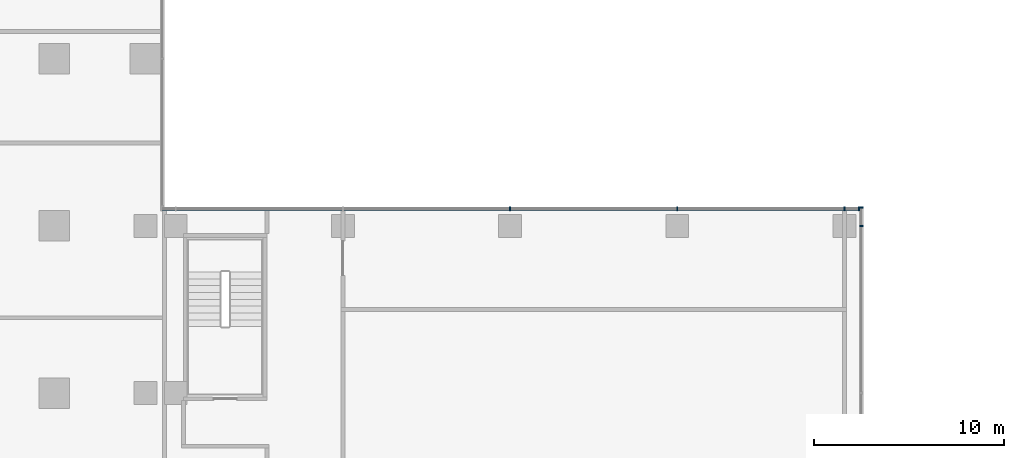
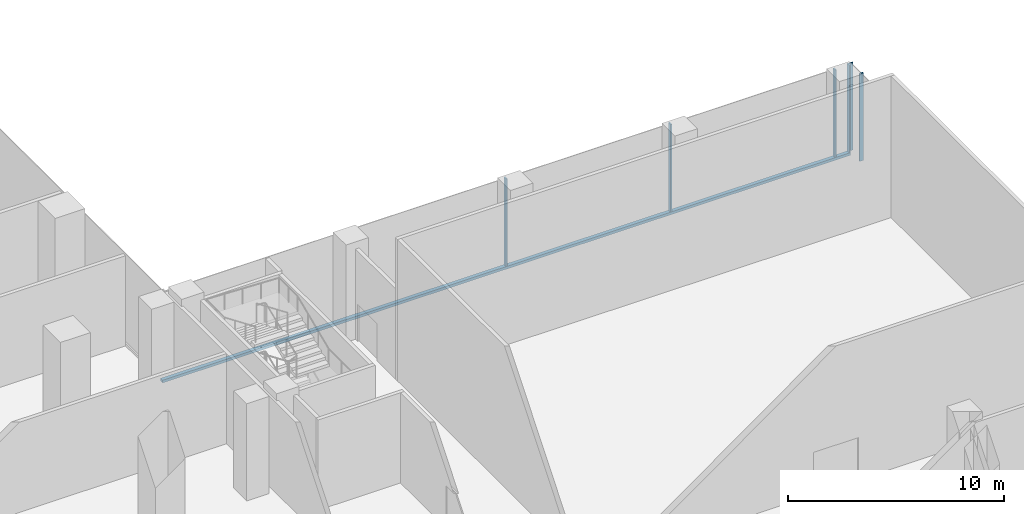
# One storey, part 9 of 30: 7 members, 2 elements without a shape of their own.
"""IFC4 building model written with IfcOpenShell, lengths in metres."""

from ifc_helpers import new_model, si_unit, direction, frame, origin, origin_2d, place, context, subcontext, project, spatial, rectangle, extrude, source, transform, mapped, material, material_profile, profile_set, type_object, element, aggregate, save


model = new_model("IFC4")

# Units and contexts
model_context = context("Model", 3, precision=1e-05, world=origin(), true_north=direction((0.0, 1.0)))
body_context = subcontext(model_context, "Body", "Model", "MODEL_VIEW")
ifc_project = project(units=[si_unit("LENGTHUNIT", "METRE"), si_unit("AREAUNIT", "SQUARE_METRE"), si_unit("VOLUMEUNIT", "CUBIC_METRE"), si_unit("PLANEANGLEUNIT", "RADIAN"), si_unit("MASSUNIT", "GRAM", prefix="KILO")], contexts=[model_context])

# Site, building, storey
site_placement = place(None, origin())
site = spatial("IfcSite", under=ifc_project, at=site_placement, CompositionType="ELEMENT")
building_placement = place(site_placement, origin())
building = spatial("IfcBuilding", under=site, at=building_placement, Name="Kemantara Hotel Tower", CompositionType="ELEMENT")
storey_placement = place(building_placement, frame((0.0, 0.0, 18.0)))
storey = spatial("IfcBuildingStorey", under=building, at=storey_placement, Name="L03", CompositionType="ELEMENT", Elevation=18.0)

# Curtain wall, member
ifc_material_1 = material(Name="Laminated tinted insulated glass 44 mm", Category="glass")
curtain_wall_type = type_object("IfcCurtainWallType", Name="PODIUM GLASS CURTAIN WALL", PredefinedType="USERDEFINED", material=ifc_material_1)
curtain_wall_1_placement = place(storey_placement, origin())
curtain_wall_1 = element("IfcCurtainWall", 1, at=curtain_wall_1_placement, inside=storey, type_object=curtain_wall_type, Name="CW1 L03 POD-R09-1", ObjectType="PODIUM GLASS CURTAIN WALL", PredefinedType="USERDEFINED")
ifc_material_2 = material(Name="Aluminium 6063-T6 bronze anodised", Category="aluminium")
ifc_material_profile_1 = material_profile(ifc_material_2, rectangle(XDim=0.199951171875, YDim=0.14990234375, at=origin_2d()), Name="PODIUM GLASS CURTAIN WALL TRANSOM")
ifc_profile_set_1 = profile_set([ifc_material_profile_1], Name="Aluminium 6063-T6 bronze anodised")
member_type_1 = type_object("IfcMemberType", Name="PODIUM GLASS CURTAIN WALL TRANSOM", PredefinedType="USERDEFINED", material=ifc_profile_set_1)
member_1_placement = place(storey_placement, frame((63.39990234375, 54.699951171875, 0.074951171875), z_axis=(-1.0, 0.0, 0.0), x_axis=(0.0, -1.0, 0.0)))
member_1 = element("IfcMember", 2, at=member_1_placement, type_object=member_type_1, Name="CW1 sill transom POD-R09-1", ObjectType="TRANSOM", PredefinedType="USERDEFINED", context=body_context, shape_type="SweptSolid", body=[
    extrude(rectangle(XDim=0.199951171875, YDim=0.14990234375, at=origin_2d()), origin(), (0.0, 0.0, 1.0), 36.7998046875),
])

# Curtain wall, members
curtain_wall_2_placement = place(storey_placement, origin())
curtain_wall_2 = element("IfcCurtainWall", 3, at=curtain_wall_2_placement, inside=storey, type_object=curtain_wall_type, Name="CW1 L03 POD-R08-1", ObjectType="PODIUM GLASS CURTAIN WALL", PredefinedType="USERDEFINED")
ifc_material_profile_2 = material_profile(ifc_material_2, rectangle(XDim=0.199951171875, YDim=0.074951171875, at=origin_2d()), Name="PODIUM GLASS CURTAIN WALL MULLION")
ifc_profile_set_2 = profile_set([ifc_material_profile_2], Name="Aluminium 6063-T6 bronze anodised")
member_type_2 = type_object("IfcMemberType", Name="PODIUM GLASS CURTAIN WALL MULLION", PredefinedType="MULLION", material=ifc_profile_set_2)
shared_shape = source(origin(), body_context, "Body", "SweptSolid", [
    extrude(rectangle(XDim=0.199951171875, YDim=0.074951171875, at=origin_2d()), origin(), (0.0, 0.0, 1.0), 4.9501953125),
])
member_2_placement = place(storey_placement, frame((63.5, 53.800048828125, 0.14990234375), z_axis=(0.0, 0.0, 1.0), x_axis=(-1.0, 0.0, 0.0)))
member_2 = element("IfcMember", 4, at=member_2_placement, type_object=member_type_2, Name="CW1 mullion POD-R08-1.5", PredefinedType="MULLION", context=body_context, shape_type="MappedRepresentation", body=[
    mapped(shared_shape, transform((0.0, 0.0, 0.0))),
])
member_3_placement = place(storey_placement, frame((63.5, 54.762451171875, 0.14990234375), z_axis=(0.0, 0.0, 1.0), x_axis=(-1.0, 0.0, 0.0)))
member_3 = element("IfcMember", 5, at=member_3_placement, type_object=member_type_2, Name="CW1 mullion POD-R08-1.6", PredefinedType="MULLION", context=body_context, shape_type="MappedRepresentation", body=[
    mapped(shared_shape, transform((0.0, 0.0, 0.0))),
])
aggregate(curtain_wall_2, [member_2, member_3])

# Member
member_4_placement = place(storey_placement, frame((63.362548828125, 54.699951171875, 0.14990234375), z_axis=(0.0, 0.0, 1.0), x_axis=(0.0, -1.0, 0.0)))
member_4 = element("IfcMember", 6, at=member_4_placement, type_object=member_type_2, Name="CW1 mullion POD-R09-1.1", PredefinedType="MULLION", context=body_context, shape_type="MappedRepresentation", body=[
    mapped(shared_shape, transform((0.0, 0.0, 0.0))),
])

member_5_placement = place(storey_placement, frame((62.60009765625, 54.699951171875, 0.14990234375), z_axis=(0.0, 0.0, 1.0), x_axis=(0.0, -1.0, 0.0)))
member_5 = element("IfcMember", 7, at=member_5_placement, type_object=member_type_2, Name="CW1 mullion POD-R09-1.2", PredefinedType="MULLION", context=body_context, shape_type="MappedRepresentation", body=[
    mapped(shared_shape, transform((0.0, 0.0, 0.0))),
])

member_6_placement = place(storey_placement, frame((53.800048828125, 54.699951171875, 0.14990234375), z_axis=(0.0, 0.0, 1.0), x_axis=(0.0, -1.0, 0.0)))
member_6 = element("IfcMember", 8, at=member_6_placement, type_object=member_type_2, Name="CW1 mullion POD-R09-1.3", PredefinedType="MULLION", context=body_context, shape_type="MappedRepresentation", body=[
    mapped(shared_shape, transform((0.0, 0.0, 0.0))),
])

member_7_placement = place(storey_placement, frame((45.0, 54.699951171875, 0.14990234375), z_axis=(0.0, 0.0, 1.0), x_axis=(0.0, -1.0, 0.0)))
member_7 = element("IfcMember", 9, at=member_7_placement, type_object=member_type_2, Name="CW1 mullion POD-R09-1.4", PredefinedType="MULLION", context=body_context, shape_type="MappedRepresentation", body=[
    mapped(shared_shape, transform((0.0, 0.0, 0.0))),
])

aggregate(curtain_wall_1, [member_1, member_4, member_5, member_6, member_7])

save(model, "model.ifc")
